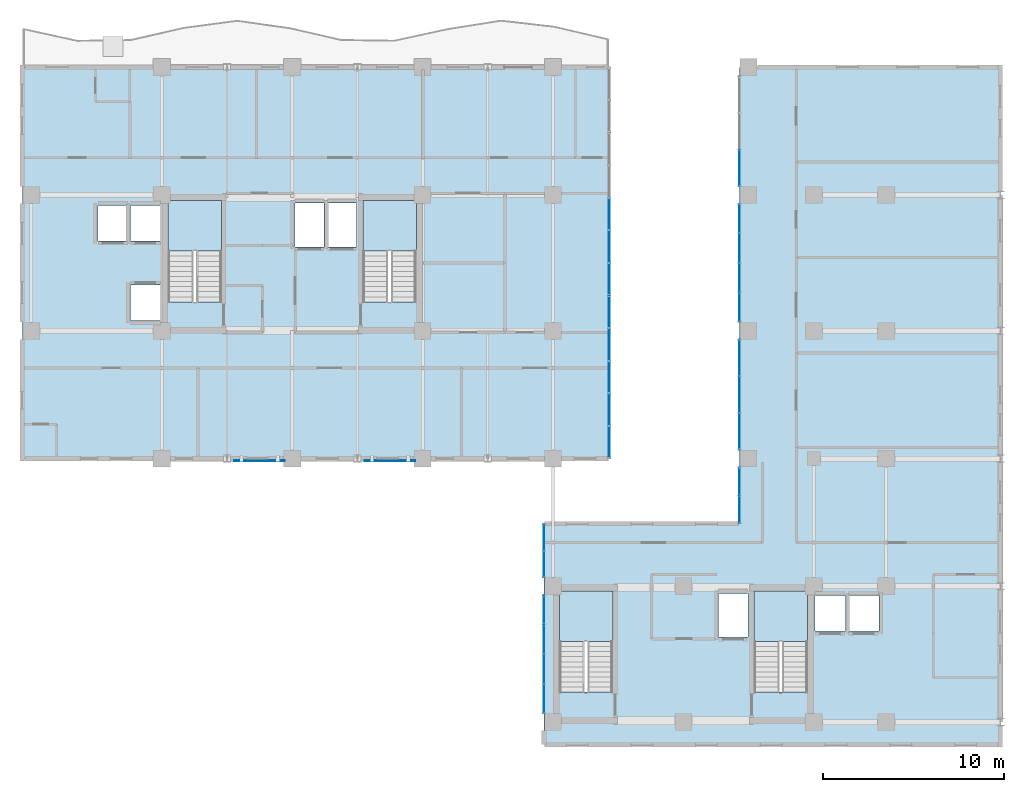
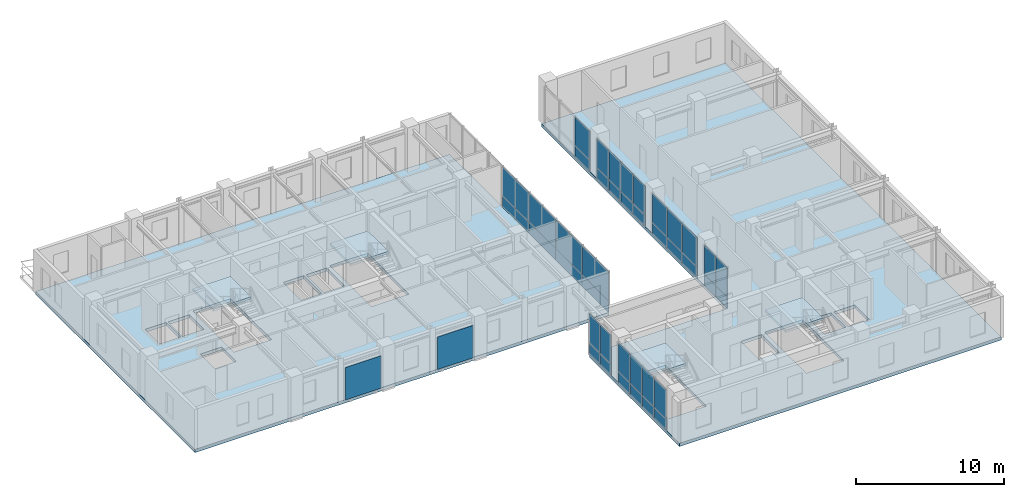
# One storey, part 15 of 24: 42 plates, 6 slabs, 11 elements without a shape of their own.
"""IFC4 building model written with IfcOpenShell, lengths in metres."""

from ifc_helpers import new_model, si_unit, direction, frame, origin, origin_2d, place, context, subcontext, project, spatial, polyline, rectangle, outline, extrude, source, transform, mapped, material, layer, layer_set, type_object, element, aggregate, save


model = new_model("IFC4")

# Units and contexts
model_context = context("Model", 3, precision=1e-05, world=origin(), true_north=direction((0.0, 1.0)))
body_context = subcontext(model_context, "Body", "Model", "MODEL_VIEW")
ifc_project = project(units=[si_unit("LENGTHUNIT", "METRE"), si_unit("AREAUNIT", "SQUARE_METRE"), si_unit("VOLUMEUNIT", "CUBIC_METRE"), si_unit("PLANEANGLEUNIT", "RADIAN"), si_unit("MASSUNIT", "GRAM", prefix="KILO")], contexts=[model_context])

# Site, building, storey
site_placement = place(None, origin())
site = spatial("IfcSite", under=ifc_project, at=site_placement, CompositionType="ELEMENT")
building_placement = place(site_placement, origin())
building = spatial("IfcBuilding", under=site, at=building_placement, Name="Kaliganga Portal Commons", CompositionType="ELEMENT")
storey_placement = place(building_placement, frame((0.0, 0.0, 235.10009765625)))
storey = spatial("IfcBuildingStorey", under=building, at=storey_placement, Name="L60", CompositionType="ELEMENT", Elevation=235.10009765625)

# Slabs
ifc_material_1 = material(Name="Concrete C50/60", Category="concrete")
ifc_layer_1 = layer(ifc_material_1, 0.260009765625)
ifc_layer_set_1 = layer_set([ifc_layer_1], Name="Concrete C50/60")
slab_type_1 = type_object("IfcSlabType", Name="SLB-PORTAL-260", PredefinedType="FLOOR", material=ifc_layer_set_1)
slab_1_placement = place(storey_placement, frame((0.0, 0.0, -0.260009765625)))
element("IfcSlab", 1, at=slab_1_placement, inside=storey, type_object=slab_type_1, Name="Structural Floor Slab L60:W1", PredefinedType="FLOOR", context=body_context, shape_type="SweptSolid", body=[
    extrude(outline(polyline([(6.699951171875, 21.60009765625), (39.10009765625, 21.60009765625), (39.10009765625, 43.199951171875), (6.699951171875, 43.199951171875), (6.699951171875, 21.60009765625)]), holes=[polyline([(14.75, 30.25390625), (14.75, 35.85009765625), (17.699951171875, 35.85009765625), (17.699951171875, 30.25390625), (14.75, 30.25390625)]), polyline([(25.5, 30.25390625), (25.5, 35.85009765625), (28.449951171875, 35.85009765625), (28.449951171875, 30.25390625), (25.5, 30.25390625)]), polyline([(12.6650390625, 33.614990234375), (12.6650390625, 35.5849609375), (14.3349609375, 35.5849609375), (14.3349609375, 33.614990234375), (12.6650390625, 33.614990234375)]), polyline([(12.6650390625, 29.215087890625), (12.6650390625, 31.18505859375), (14.3349609375, 31.18505859375), (14.3349609375, 29.215087890625), (12.6650390625, 29.215087890625)]), polyline([(10.864990234375, 33.614990234375), (10.864990234375, 35.5849609375), (12.534912109375, 35.5849609375), (12.534912109375, 33.614990234375), (10.864990234375, 33.614990234375)]), polyline([(21.739990234375, 33.2900390625), (21.739990234375, 35.7099609375), (23.360107421875, 35.7099609375), (23.360107421875, 33.2900390625), (21.739990234375, 33.2900390625)]), polyline([(23.5400390625, 33.2900390625), (23.5400390625, 35.7099609375), (25.159912109375, 35.7099609375), (25.159912109375, 33.2900390625), (23.5400390625, 33.2900390625)])]), origin(), (0.0, 0.0, 1.0), 0.260009765625),
])
slab_2_placement = place(storey_placement, frame((0.0, 0.0, -0.260009765625)))
element("IfcSlab", 2, at=slab_2_placement, inside=storey, type_object=slab_type_1, Name="Structural Floor Slab L60:W2", PredefinedType="FLOOR", context=body_context, shape_type="SweptSolid", body=[
    extrude(outline(polyline([(35.5, 5.800048828125), (60.699951171875, 5.800048828125), (60.699951171875, 43.199951171875), (46.300048828125, 43.199951171875), (46.300048828125, 18.0), (35.5, 18.0), (35.5, 5.800048828125)]), holes=[polyline([(36.35009765625, 8.7041015625), (36.35009765625, 14.300048828125), (39.300048828125, 14.300048828125), (39.300048828125, 8.7041015625), (36.35009765625, 8.7041015625)]), polyline([(47.10009765625, 8.7041015625), (47.10009765625, 14.300048828125), (50.050048828125, 14.300048828125), (50.050048828125, 8.7041015625), (47.10009765625, 8.7041015625)]), polyline([(50.465087890625, 12.06494140625), (50.465087890625, 14.034912109375), (52.135009765625, 14.034912109375), (52.135009765625, 12.06494140625), (50.465087890625, 12.06494140625)]), polyline([(52.31494140625, 12.06494140625), (52.31494140625, 14.034912109375), (53.985107421875, 14.034912109375), (53.985107421875, 12.06494140625), (52.31494140625, 12.06494140625)]), polyline([(45.139892578125, 11.739990234375), (45.139892578125, 14.159912109375), (46.760009765625, 14.159912109375), (46.760009765625, 11.739990234375), (45.139892578125, 11.739990234375)])]), origin(), (0.0, 0.0, 1.0), 0.260009765625),
])

# Stair, slab
ifc_material_2 = material(Name="Concrete C40/50", Category="concrete")
stair_type = type_object("IfcStairType", Name="ST-CORE-DOGLEG", PredefinedType="HALF_TURN_STAIR", material=ifc_material_2)
stair_1_placement = place(storey_placement, origin())
stair_1 = element("IfcStair", 3, at=stair_1_placement, inside=storey, type_object=stair_type, Name="L60 Protected Exit Stair ST-A1", PredefinedType="HALF_TURN_STAIR")
ifc_layer_2 = layer(ifc_material_2, 0.199951171875)
ifc_layer_set_2 = layer_set([ifc_layer_2], Name="Concrete C40/50")
slab_type_2 = type_object("IfcSlabType", Name="SLB-STAIR-LND", PredefinedType="LANDING", material=ifc_layer_set_2)
slab_3_placement = place(storey_placement, frame((0.0, 0.0, 1.64990234375)))
slab_3 = element("IfcSlab", 4, at=slab_3_placement, type_object=slab_type_2, Name="ST-A1 landing 1", PredefinedType="LANDING", context=body_context, shape_type="SweptSolid", body=[
    extrude(outline(polyline([(17.699951171875, 33.050048828125), (17.699951171875, 35.85009765625), (14.75, 35.85009765625), (14.75, 33.050048828125), (17.699951171875, 33.050048828125)])), origin(), (0.0, 0.0, 1.0), 0.199951171875),
])
aggregate(stair_1, [slab_3])

stair_2_placement = place(storey_placement, origin())
stair_2 = element("IfcStair", 5, at=stair_2_placement, inside=storey, type_object=stair_type, Name="L60 Protected Exit Stair ST-A2", PredefinedType="HALF_TURN_STAIR")
slab_4_placement = place(storey_placement, frame((0.0, 0.0, 1.64990234375)))
slab_4 = element("IfcSlab", 6, at=slab_4_placement, type_object=slab_type_2, Name="ST-A2 landing 1", PredefinedType="LANDING", context=body_context, shape_type="SweptSolid", body=[
    extrude(outline(polyline([(28.449951171875, 33.050048828125), (28.449951171875, 35.85009765625), (25.5, 35.85009765625), (25.5, 33.050048828125), (28.449951171875, 33.050048828125)])), origin(), (0.0, 0.0, 1.0), 0.199951171875),
])
aggregate(stair_2, [slab_4])

stair_3_placement = place(storey_placement, origin())
stair_3 = element("IfcStair", 7, at=stair_3_placement, inside=storey, type_object=stair_type, Name="L60 Protected Exit Stair ST-B1", PredefinedType="HALF_TURN_STAIR")
slab_5_placement = place(storey_placement, frame((0.0, 0.0, 1.64990234375)))
slab_5 = element("IfcSlab", 8, at=slab_5_placement, type_object=slab_type_2, Name="ST-B1 landing 1", PredefinedType="LANDING", context=body_context, shape_type="SweptSolid", body=[
    extrude(outline(polyline([(39.300048828125, 11.5), (39.300048828125, 14.300048828125), (36.35009765625, 14.300048828125), (36.35009765625, 11.5), (39.300048828125, 11.5)])), origin(), (0.0, 0.0, 1.0), 0.199951171875),
])
aggregate(stair_3, [slab_5])

stair_4_placement = place(storey_placement, origin())
stair_4 = element("IfcStair", 9, at=stair_4_placement, inside=storey, type_object=stair_type, Name="L60 Protected Exit Stair ST-B2", PredefinedType="HALF_TURN_STAIR")
slab_6_placement = place(storey_placement, frame((0.0, 0.0, 1.64990234375)))
slab_6 = element("IfcSlab", 10, at=slab_6_placement, type_object=slab_type_2, Name="ST-B2 landing 1", PredefinedType="LANDING", context=body_context, shape_type="SweptSolid", body=[
    extrude(outline(polyline([(50.050048828125, 11.5), (50.050048828125, 14.300048828125), (47.10009765625, 14.300048828125), (47.10009765625, 11.5), (50.050048828125, 11.5)])), origin(), (0.0, 0.0, 1.0), 0.199951171875),
])
aggregate(stair_4, [slab_6])

# Plates
ifc_material_3 = material(Name="Perforated Terracotta Monsoon Baguette Screen", Category="masonry")
ifc_layer_3 = layer(ifc_material_3, 0.034912109375)
ifc_layer_set_3 = layer_set([ifc_layer_3], Name="Perforated Terracotta Monsoon Baguette Screen")
plate_type_1 = type_object("IfcPlateType", Name="PLT-CER-35", PredefinedType="USERDEFINED", material=ifc_layer_set_3)
shared_shape_1 = source(origin(), body_context, "Body", "SweptSolid", [
    extrude(rectangle(XDim=2.800048828125, YDim=0.034912109375, at=origin_2d()), origin(), (0.0, 0.0, 1.0), 2.68994140625),
])
for number, where, z_axis, x_axis, name in (
    (11, (19.800048828125, 21.47998046875, 0.079833984375), (0.0, 0.0, 1.0), (1.0, 0.0, 0.0), "Perforated Solar Screen L60-S1"),
    (12, (27.0, 21.47998046875, 0.079833984375), (0.0, 0.0, 1.0), (1.0, 0.0, 0.0), "Perforated Solar Screen L60-S2"),
):
    element("IfcPlate", number, at=place(storey_placement, frame(where, z_axis=z_axis, x_axis=x_axis)), inside=storey, type_object=plate_type_1, Name=name, ObjectType="SOLAR SCREEN", PredefinedType="USERDEFINED", context=body_context, shape_type="MappedRepresentation", body=[
        mapped(shared_shape_1, transform((0.0, 0.0, 0.0), x_axis=(1.0, 0.0, 0.0), y_axis=(0.0, 1.0, 0.0), z_axis=(0.0, 0.0, 1.0), scale=1.0)),
    ])

# Curtain wall, plates
ifc_material_4 = material(Name="Anodized Aluminium and Laminated Low-E Glass", Category="aluminium")
ifc_layer_4 = layer(ifc_material_4, 0.239990234375)
ifc_layer_set_4 = layer_set([ifc_layer_4], Name="Anodized Aluminium and Laminated Low-E Glass")
curtain_wall_type = type_object("IfcCurtainWallType", Name="CW-SYS-04", PredefinedType="NOTDEFINED", material=ifc_layer_set_4)
curtain_wall_1_placement = place(storey_placement, origin())
curtain_wall_1 = element("IfcCurtainWall", 13, at=curtain_wall_1_placement, inside=storey, type_object=curtain_wall_type, Name="CW 04 L60 P2E03S2", PredefinedType="NOTDEFINED")
ifc_material_5 = material(Name="Insulated Dark Spandrel Panel", Category="metal")
ifc_layer_5 = layer(ifc_material_5, 0.044921875)
ifc_layer_set_5 = layer_set([ifc_layer_5], Name="Insulated Dark Spandrel Panel")
plate_type_2 = type_object("IfcPlateType", Name="PLT-SPN-45", PredefinedType="SHEET", material=ifc_layer_set_5)
shared_shape_2 = source(origin(), body_context, "Body", "SweptSolid", [
    extrude(rectangle(XDim=1.596923828125, YDim=0.044921875, at=origin_2d()), origin(), (0.0, 0.0, 1.0), 0.929931640625),
])
plate_1_placement = place(storey_placement, frame((46.300048828125, 34.85546875, 0.009765625), z_axis=(0.0, 0.0, 1.0), x_axis=(0.0, -1.0, 0.0)))
plate_1 = element("IfcPlate", 14, at=plate_1_placement, type_object=plate_type_2, Name="CW:04:L60:P2E03S2 Spandrel 00", PredefinedType="SHEET", context=body_context, shape_type="MappedRepresentation", body=[
    mapped(shared_shape_2, transform((0.0, 0.0, 0.0), x_axis=(1.0, 0.0, 0.0), y_axis=(0.0, 1.0, 0.0), z_axis=(0.0, 0.0, 1.0), scale=1.0)),
])
plate_2_placement = place(storey_placement, frame((46.300048828125, 33.218505859375, 0.009765625), z_axis=(0.0, 0.0, 1.0), x_axis=(0.0, -1.0, 0.0)))
plate_2 = element("IfcPlate", 15, at=plate_2_placement, type_object=plate_type_2, Name="CW:04:L60:P2E03S2 Spandrel 01", PredefinedType="SHEET", context=body_context, shape_type="MappedRepresentation", body=[
    mapped(shared_shape_2, transform((0.0, 0.0, 0.0), x_axis=(1.0, 0.0, 0.0), y_axis=(0.0, 1.0, 0.0), z_axis=(0.0, 0.0, 1.0), scale=1.0)),
])
plate_3_placement = place(storey_placement, frame((46.300048828125, 31.58154296875, 0.009765625), z_axis=(0.0, 0.0, 1.0), x_axis=(0.0, -1.0, 0.0)))
plate_3 = element("IfcPlate", 16, at=plate_3_placement, type_object=plate_type_2, Name="CW:04:L60:P2E03S2 Spandrel 02", PredefinedType="SHEET", context=body_context, shape_type="MappedRepresentation", body=[
    mapped(shared_shape_2, transform((0.0, 0.0, 0.0), x_axis=(1.0, 0.0, 0.0), y_axis=(0.0, 1.0, 0.0), z_axis=(0.0, 0.0, 1.0), scale=1.0)),
])
plate_4_placement = place(storey_placement, frame((46.300048828125, 29.944580078125, 0.009765625), z_axis=(0.0, 0.0, 1.0), x_axis=(0.0, -1.0, 0.0)))
plate_4 = element("IfcPlate", 17, at=plate_4_placement, type_object=plate_type_2, Name="CW:04:L60:P2E03S2 Spandrel 03", PredefinedType="SHEET", context=body_context, shape_type="MappedRepresentation", body=[
    mapped(shared_shape_2, transform((0.0, 0.0, 0.0), x_axis=(1.0, 0.0, 0.0), y_axis=(0.0, 1.0, 0.0), z_axis=(0.0, 0.0, 1.0), scale=1.0)),
])

curtain_wall_2_placement = place(storey_placement, origin())
curtain_wall_2 = element("IfcCurtainWall", 18, at=curtain_wall_2_placement, inside=storey, type_object=curtain_wall_type, Name="CW 04 L60 P2E05S2", PredefinedType="NOTDEFINED")
plate_5_placement = place(storey_placement, frame((35.5, 13.255615234375, 0.009765625), z_axis=(0.0, 0.0, 1.0), x_axis=(0.0, -1.0, 0.0)))
plate_5 = element("IfcPlate", 19, at=plate_5_placement, type_object=plate_type_2, Name="CW:04:L60:P2E05S2 Spandrel 00", PredefinedType="SHEET", context=body_context, shape_type="MappedRepresentation", body=[
    mapped(shared_shape_2, transform((0.0, 0.0, 0.0), x_axis=(1.0, 0.0, 0.0), y_axis=(0.0, 1.0, 0.0), z_axis=(0.0, 0.0, 1.0), scale=1.0)),
])
plate_6_placement = place(storey_placement, frame((35.5, 11.618408203125, 0.009765625), z_axis=(0.0, 0.0, 1.0), x_axis=(0.0, -1.0, 0.0)))
plate_6 = element("IfcPlate", 20, at=plate_6_placement, type_object=plate_type_2, Name="CW:04:L60:P2E05S2 Spandrel 01", PredefinedType="SHEET", context=body_context, shape_type="MappedRepresentation", body=[
    mapped(shared_shape_2, transform((0.0, 0.0, 0.0), x_axis=(1.0, 0.0, 0.0), y_axis=(0.0, 1.0, 0.0), z_axis=(0.0, 0.0, 1.0), scale=1.0)),
])
plate_7_placement = place(storey_placement, frame((35.5, 9.9814453125, 0.009765625), z_axis=(0.0, 0.0, 1.0), x_axis=(0.0, -1.0, 0.0)))
plate_7 = element("IfcPlate", 21, at=plate_7_placement, type_object=plate_type_2, Name="CW:04:L60:P2E05S2 Spandrel 02", PredefinedType="SHEET", context=body_context, shape_type="MappedRepresentation", body=[
    mapped(shared_shape_2, transform((0.0, 0.0, 0.0), x_axis=(1.0, 0.0, 0.0), y_axis=(0.0, 1.0, 0.0), z_axis=(0.0, 0.0, 1.0), scale=1.0)),
])
plate_8_placement = place(storey_placement, frame((35.5, 8.344482421875, 0.009765625), z_axis=(0.0, 0.0, 1.0), x_axis=(0.0, -1.0, 0.0)))
plate_8 = element("IfcPlate", 22, at=plate_8_placement, type_object=plate_type_2, Name="CW:04:L60:P2E05S2 Spandrel 03", PredefinedType="SHEET", context=body_context, shape_type="MappedRepresentation", body=[
    mapped(shared_shape_2, transform((0.0, 0.0, 0.0), x_axis=(1.0, 0.0, 0.0), y_axis=(0.0, 1.0, 0.0), z_axis=(0.0, 0.0, 1.0), scale=1.0)),
])

curtain_wall_3_placement = place(storey_placement, origin())
curtain_wall_3 = element("IfcCurtainWall", 23, at=curtain_wall_3_placement, inside=storey, type_object=curtain_wall_type, Name="CW 04 L60 P2E05S1", PredefinedType="NOTDEFINED")
shared_shape_3 = source(origin(), body_context, "Body", "SweptSolid", [
    extrude(rectangle(XDim=1.447021484375, YDim=0.044921875, at=origin_2d()), origin(), (0.0, 0.0, 1.0), 0.929931640625),
])
plate_9_placement = place(storey_placement, frame((35.5, 17.256591796875, 0.009765625), z_axis=(0.0, 0.0, 1.0), x_axis=(0.0, -1.0, 0.0)))
plate_9 = element("IfcPlate", 24, at=plate_9_placement, type_object=plate_type_2, Name="CW:04:L60:P2E05S1 Spandrel 00", PredefinedType="SHEET", context=body_context, shape_type="MappedRepresentation", body=[
    mapped(shared_shape_3, transform((0.0, 0.0, 0.0), x_axis=(1.0, 0.0, 0.0), y_axis=(0.0, 1.0, 0.0), z_axis=(0.0, 0.0, 1.0), scale=1.0)),
])
plate_10_placement = place(storey_placement, frame((35.5, 15.76953125, 0.009765625), z_axis=(0.0, 0.0, 1.0), x_axis=(0.0, -1.0, 0.0)))
plate_10 = element("IfcPlate", 25, at=plate_10_placement, type_object=plate_type_2, Name="CW:04:L60:P2E05S1 Spandrel 01", PredefinedType="SHEET", context=body_context, shape_type="MappedRepresentation", body=[
    mapped(shared_shape_3, transform((0.0, 0.0, 0.0), x_axis=(1.0, 0.0, 0.0), y_axis=(0.0, 1.0, 0.0), z_axis=(0.0, 0.0, 1.0), scale=1.0)),
])
ifc_material_6 = material(Name="Dark Solar-Control Laminated Low-E IGU", Category="glass")
ifc_layer_6 = layer(ifc_material_6, 0.028076171875)
ifc_layer_set_6 = layer_set([ifc_layer_6], Name="Dark Solar-Control Laminated Low-E IGU")
plate_type_3 = type_object("IfcPlateType", Name="PLT-GLZ-28", PredefinedType="CURTAIN_PANEL", material=ifc_layer_set_6)
shared_shape_4 = source(origin(), body_context, "Body", "SweptSolid", [
    extrude(rectangle(XDim=1.447021484375, YDim=0.028076171875, at=origin_2d()), origin(), (0.0, 0.0, 1.0), 2.389892578125),
])
plate_11_placement = place(storey_placement, frame((35.5, 17.256591796875, 0.9599609375), z_axis=(0.0, 0.0, 1.0), x_axis=(0.0, -1.0, 0.0)))
plate_11 = element("IfcPlate", 26, at=plate_11_placement, type_object=plate_type_3, Name="CW:04:L60:P2E05S1 Vision IGU 00", PredefinedType="CURTAIN_PANEL", context=body_context, shape_type="MappedRepresentation", body=[
    mapped(shared_shape_4, transform((0.0, 0.0, 0.0), x_axis=(1.0, 0.0, 0.0), y_axis=(0.0, 1.0, 0.0), z_axis=(0.0, 0.0, 1.0), scale=1.0)),
])
plate_12_placement = place(storey_placement, frame((35.5, 15.76953125, 0.9599609375), z_axis=(0.0, 0.0, 1.0), x_axis=(0.0, -1.0, 0.0)))
plate_12 = element("IfcPlate", 27, at=plate_12_placement, type_object=plate_type_3, Name="CW:04:L60:P2E05S1 Vision IGU 01", PredefinedType="CURTAIN_PANEL", context=body_context, shape_type="MappedRepresentation", body=[
    mapped(shared_shape_4, transform((0.0, 0.0, 0.0), x_axis=(1.0, 0.0, 0.0), y_axis=(0.0, 1.0, 0.0), z_axis=(0.0, 0.0, 1.0), scale=1.0)),
])
aggregate(curtain_wall_3, [plate_9, plate_11, plate_10, plate_12])

# Plate
shared_shape_5 = source(origin(), body_context, "Body", "SweptSolid", [
    extrude(rectangle(XDim=1.596923828125, YDim=0.028076171875, at=origin_2d()), origin(), (0.0, 0.0, 1.0), 2.389892578125),
])
plate_13_placement = place(storey_placement, frame((46.300048828125, 34.85546875, 0.9599609375), z_axis=(0.0, 0.0, 1.0), x_axis=(0.0, -1.0, 0.0)))
plate_13 = element("IfcPlate", 28, at=plate_13_placement, type_object=plate_type_3, Name="CW:04:L60:P2E03S2 Vision IGU 00", PredefinedType="CURTAIN_PANEL", context=body_context, shape_type="MappedRepresentation", body=[
    mapped(shared_shape_5, transform((0.0, 0.0, 0.0), x_axis=(1.0, 0.0, 0.0), y_axis=(0.0, 1.0, 0.0), z_axis=(0.0, 0.0, 1.0), scale=1.0)),
])

plate_14_placement = place(storey_placement, frame((46.300048828125, 33.218505859375, 0.9599609375), z_axis=(0.0, 0.0, 1.0), x_axis=(0.0, -1.0, 0.0)))
plate_14 = element("IfcPlate", 29, at=plate_14_placement, type_object=plate_type_3, Name="CW:04:L60:P2E03S2 Vision IGU 01", PredefinedType="CURTAIN_PANEL", context=body_context, shape_type="MappedRepresentation", body=[
    mapped(shared_shape_5, transform((0.0, 0.0, 0.0), x_axis=(1.0, 0.0, 0.0), y_axis=(0.0, 1.0, 0.0), z_axis=(0.0, 0.0, 1.0), scale=1.0)),
])

plate_15_placement = place(storey_placement, frame((46.300048828125, 31.58154296875, 0.9599609375), z_axis=(0.0, 0.0, 1.0), x_axis=(0.0, -1.0, 0.0)))
plate_15 = element("IfcPlate", 30, at=plate_15_placement, type_object=plate_type_3, Name="CW:04:L60:P2E03S2 Vision IGU 02", PredefinedType="CURTAIN_PANEL", context=body_context, shape_type="MappedRepresentation", body=[
    mapped(shared_shape_5, transform((0.0, 0.0, 0.0), x_axis=(1.0, 0.0, 0.0), y_axis=(0.0, 1.0, 0.0), z_axis=(0.0, 0.0, 1.0), scale=1.0)),
])

plate_16_placement = place(storey_placement, frame((46.300048828125, 29.944580078125, 0.9599609375), z_axis=(0.0, 0.0, 1.0), x_axis=(0.0, -1.0, 0.0)))
plate_16 = element("IfcPlate", 31, at=plate_16_placement, type_object=plate_type_3, Name="CW:04:L60:P2E03S2 Vision IGU 03", PredefinedType="CURTAIN_PANEL", context=body_context, shape_type="MappedRepresentation", body=[
    mapped(shared_shape_5, transform((0.0, 0.0, 0.0), x_axis=(1.0, 0.0, 0.0), y_axis=(0.0, 1.0, 0.0), z_axis=(0.0, 0.0, 1.0), scale=1.0)),
])

aggregate(curtain_wall_1, [plate_1, plate_13, plate_2, plate_14, plate_3, plate_15, plate_4, plate_16])

plate_17_placement = place(storey_placement, frame((35.5, 13.255615234375, 0.9599609375), z_axis=(0.0, 0.0, 1.0), x_axis=(0.0, -1.0, 0.0)))
plate_17 = element("IfcPlate", 32, at=plate_17_placement, type_object=plate_type_3, Name="CW:04:L60:P2E05S2 Vision IGU 00", PredefinedType="CURTAIN_PANEL", context=body_context, shape_type="MappedRepresentation", body=[
    mapped(shared_shape_5, transform((0.0, 0.0, 0.0), x_axis=(1.0, 0.0, 0.0), y_axis=(0.0, 1.0, 0.0), z_axis=(0.0, 0.0, 1.0), scale=1.0)),
])

plate_18_placement = place(storey_placement, frame((35.5, 11.618408203125, 0.9599609375), z_axis=(0.0, 0.0, 1.0), x_axis=(0.0, -1.0, 0.0)))
plate_18 = element("IfcPlate", 33, at=plate_18_placement, type_object=plate_type_3, Name="CW:04:L60:P2E05S2 Vision IGU 01", PredefinedType="CURTAIN_PANEL", context=body_context, shape_type="MappedRepresentation", body=[
    mapped(shared_shape_5, transform((0.0, 0.0, 0.0), x_axis=(1.0, 0.0, 0.0), y_axis=(0.0, 1.0, 0.0), z_axis=(0.0, 0.0, 1.0), scale=1.0)),
])

plate_19_placement = place(storey_placement, frame((35.5, 9.9814453125, 0.9599609375), z_axis=(0.0, 0.0, 1.0), x_axis=(0.0, -1.0, 0.0)))
plate_19 = element("IfcPlate", 34, at=plate_19_placement, type_object=plate_type_3, Name="CW:04:L60:P2E05S2 Vision IGU 02", PredefinedType="CURTAIN_PANEL", context=body_context, shape_type="MappedRepresentation", body=[
    mapped(shared_shape_5, transform((0.0, 0.0, 0.0), x_axis=(1.0, 0.0, 0.0), y_axis=(0.0, 1.0, 0.0), z_axis=(0.0, 0.0, 1.0), scale=1.0)),
])

plate_20_placement = place(storey_placement, frame((35.5, 8.344482421875, 0.9599609375), z_axis=(0.0, 0.0, 1.0), x_axis=(0.0, -1.0, 0.0)))
plate_20 = element("IfcPlate", 35, at=plate_20_placement, type_object=plate_type_3, Name="CW:04:L60:P2E05S2 Vision IGU 03", PredefinedType="CURTAIN_PANEL", context=body_context, shape_type="MappedRepresentation", body=[
    mapped(shared_shape_5, transform((0.0, 0.0, 0.0), x_axis=(1.0, 0.0, 0.0), y_axis=(0.0, 1.0, 0.0), z_axis=(0.0, 0.0, 1.0), scale=1.0)),
])

aggregate(curtain_wall_2, [plate_5, plate_17, plate_6, plate_18, plate_7, plate_19, plate_8, plate_20])

# Curtain wall, plates
curtain_wall_4_placement = place(storey_placement, origin())
curtain_wall_4 = element("IfcCurtainWall", 36, at=curtain_wall_4_placement, inside=storey, type_object=curtain_wall_type, Name="CW 04 L60 P1E01S1", PredefinedType="NOTDEFINED")
shared_shape_6 = source(origin(), body_context, "Body", "SweptSolid", [
    extrude(rectangle(XDim=3.56005859375, YDim=0.044921875, at=origin_2d()), origin(), (0.0, 0.0, 1.0), 0.929931640625),
])
plate_21_placement = place(storey_placement, frame((39.10009765625, 23.39990234375, 0.009765625), z_axis=(0.0, 0.0, 1.0), x_axis=(0.0, 1.0, 0.0)))
plate_21 = element("IfcPlate", 37, at=plate_21_placement, type_object=plate_type_2, Name="CW:04:L60:P1E01S1 Spandrel 00", PredefinedType="SHEET", context=body_context, shape_type="MappedRepresentation", body=[
    mapped(shared_shape_6, transform((0.0, 0.0, 0.0), x_axis=(1.0, 0.0, 0.0), y_axis=(0.0, 1.0, 0.0), z_axis=(0.0, 0.0, 1.0), scale=1.0)),
])
plate_22_placement = place(storey_placement, frame((39.10009765625, 27.0, 0.009765625), z_axis=(0.0, 0.0, 1.0), x_axis=(0.0, 1.0, 0.0)))
plate_22 = element("IfcPlate", 38, at=plate_22_placement, type_object=plate_type_2, Name="CW:04:L60:P1E01S1 Spandrel 02", PredefinedType="SHEET", context=body_context, shape_type="MappedRepresentation", body=[
    mapped(shared_shape_6, transform((0.0, 0.0, 0.0), x_axis=(1.0, 0.0, 0.0), y_axis=(0.0, 1.0, 0.0), z_axis=(0.0, 0.0, 1.0), scale=1.0)),
])
plate_23_placement = place(storey_placement, frame((39.10009765625, 30.60009765625, 0.009765625), z_axis=(0.0, 0.0, 1.0), x_axis=(0.0, 1.0, 0.0)))
plate_23 = element("IfcPlate", 39, at=plate_23_placement, type_object=plate_type_2, Name="CW:04:L60:P1E01S1 Spandrel 04", PredefinedType="SHEET", context=body_context, shape_type="MappedRepresentation", body=[
    mapped(shared_shape_6, transform((0.0, 0.0, 0.0), x_axis=(1.0, 0.0, 0.0), y_axis=(0.0, 1.0, 0.0), z_axis=(0.0, 0.0, 1.0), scale=1.0)),
])
plate_24_placement = place(storey_placement, frame((39.10009765625, 34.199951171875, 0.009765625), z_axis=(0.0, 0.0, 1.0), x_axis=(0.0, 1.0, 0.0)))
plate_24 = element("IfcPlate", 40, at=plate_24_placement, type_object=plate_type_2, Name="CW:04:L60:P1E01S1 Spandrel 06", PredefinedType="SHEET", context=body_context, shape_type="MappedRepresentation", body=[
    mapped(shared_shape_6, transform((0.0, 0.0, 0.0), x_axis=(1.0, 0.0, 0.0), y_axis=(0.0, 1.0, 0.0), z_axis=(0.0, 0.0, 1.0), scale=1.0)),
])
shared_shape_7 = source(origin(), body_context, "Body", "SweptSolid", [
    extrude(rectangle(XDim=3.56005859375, YDim=0.028076171875, at=origin_2d()), origin(), (0.0, 0.0, 1.0), 2.389892578125),
])
plate_25_placement = place(storey_placement, frame((39.10009765625, 23.39990234375, 0.9599609375), z_axis=(0.0, 0.0, 1.0), x_axis=(0.0, 1.0, 0.0)))
plate_25 = element("IfcPlate", 41, at=plate_25_placement, type_object=plate_type_3, Name="CW:04:L60:P1E01S1 Vision IGU 00", PredefinedType="CURTAIN_PANEL", context=body_context, shape_type="MappedRepresentation", body=[
    mapped(shared_shape_7, transform((0.0, 0.0, 0.0), x_axis=(1.0, 0.0, 0.0), y_axis=(0.0, 1.0, 0.0), z_axis=(0.0, 0.0, 1.0), scale=1.0)),
])
plate_26_placement = place(storey_placement, frame((39.10009765625, 27.0, 0.9599609375), z_axis=(0.0, 0.0, 1.0), x_axis=(0.0, 1.0, 0.0)))
plate_26 = element("IfcPlate", 42, at=plate_26_placement, type_object=plate_type_3, Name="CW:04:L60:P1E01S1 Vision IGU 02", PredefinedType="CURTAIN_PANEL", context=body_context, shape_type="MappedRepresentation", body=[
    mapped(shared_shape_7, transform((0.0, 0.0, 0.0), x_axis=(1.0, 0.0, 0.0), y_axis=(0.0, 1.0, 0.0), z_axis=(0.0, 0.0, 1.0), scale=1.0)),
])
plate_27_placement = place(storey_placement, frame((39.10009765625, 30.60009765625, 0.9599609375), z_axis=(0.0, 0.0, 1.0), x_axis=(0.0, 1.0, 0.0)))
plate_27 = element("IfcPlate", 43, at=plate_27_placement, type_object=plate_type_3, Name="CW:04:L60:P1E01S1 Vision IGU 04", PredefinedType="CURTAIN_PANEL", context=body_context, shape_type="MappedRepresentation", body=[
    mapped(shared_shape_7, transform((0.0, 0.0, 0.0), x_axis=(1.0, 0.0, 0.0), y_axis=(0.0, 1.0, 0.0), z_axis=(0.0, 0.0, 1.0), scale=1.0)),
])
plate_28_placement = place(storey_placement, frame((39.10009765625, 34.199951171875, 0.9599609375), z_axis=(0.0, 0.0, 1.0), x_axis=(0.0, 1.0, 0.0)))
plate_28 = element("IfcPlate", 44, at=plate_28_placement, type_object=plate_type_3, Name="CW:04:L60:P1E01S1 Vision IGU 06", PredefinedType="CURTAIN_PANEL", context=body_context, shape_type="MappedRepresentation", body=[
    mapped(shared_shape_7, transform((0.0, 0.0, 0.0), x_axis=(1.0, 0.0, 0.0), y_axis=(0.0, 1.0, 0.0), z_axis=(0.0, 0.0, 1.0), scale=1.0)),
])
aggregate(curtain_wall_4, [plate_21, plate_25, plate_22, plate_26, plate_23, plate_27, plate_24, plate_28])

# Curtain wall, plate
curtain_wall_5_placement = place(storey_placement, origin())
curtain_wall_5 = element("IfcCurtainWall", 45, at=curtain_wall_5_placement, inside=storey, type_object=curtain_wall_type, Name="CW 04 L60 P2E03S1", PredefinedType="NOTDEFINED")
shared_shape_8 = source(origin(), body_context, "Body", "SweptSolid", [
    extrude(rectangle(XDim=1.99267578125, YDim=0.044921875, at=origin_2d()), origin(), (0.0, 0.0, 1.0), 0.929931640625),
])
plate_29_placement = place(storey_placement, frame((46.300048828125, 37.642333984375, 0.009765625), z_axis=(0.0, 0.0, 1.0), x_axis=(0.0, -1.0, 0.0)))
plate_29 = element("IfcPlate", 46, at=plate_29_placement, type_object=plate_type_2, Name="CW:04:L60:P2E03S1 Spandrel 02", PredefinedType="SHEET", context=body_context, shape_type="MappedRepresentation", body=[
    mapped(shared_shape_8, transform((0.0, 0.0, 0.0), x_axis=(1.0, 0.0, 0.0), y_axis=(0.0, 1.0, 0.0), z_axis=(0.0, 0.0, 1.0), scale=1.0)),
])

# Curtain wall, plates
curtain_wall_6_placement = place(storey_placement, origin())
curtain_wall_6 = element("IfcCurtainWall", 47, at=curtain_wall_6_placement, inside=storey, type_object=curtain_wall_type, Name="CW 04 L60 P2E03S3", PredefinedType="NOTDEFINED")
plate_30_placement = place(storey_placement, frame((46.300048828125, 27.15771484375, 0.009765625), z_axis=(0.0, 0.0, 1.0), x_axis=(0.0, -1.0, 0.0)))
plate_30 = element("IfcPlate", 48, at=plate_30_placement, type_object=plate_type_2, Name="CW:04:L60:P2E03S3 Spandrel 00", PredefinedType="SHEET", context=body_context, shape_type="MappedRepresentation", body=[
    mapped(shared_shape_8, transform((0.0, 0.0, 0.0), x_axis=(1.0, 0.0, 0.0), y_axis=(0.0, 1.0, 0.0), z_axis=(0.0, 0.0, 1.0), scale=1.0)),
])
plate_31_placement = place(storey_placement, frame((46.300048828125, 25.125, 0.009765625), z_axis=(0.0, 0.0, 1.0), x_axis=(0.0, -1.0, 0.0)))
plate_31 = element("IfcPlate", 49, at=plate_31_placement, type_object=plate_type_2, Name="CW:04:L60:P2E03S3 Spandrel 01", PredefinedType="SHEET", context=body_context, shape_type="MappedRepresentation", body=[
    mapped(shared_shape_8, transform((0.0, 0.0, 0.0), x_axis=(1.0, 0.0, 0.0), y_axis=(0.0, 1.0, 0.0), z_axis=(0.0, 0.0, 1.0), scale=1.0)),
])
plate_32_placement = place(storey_placement, frame((46.300048828125, 23.09228515625, 0.009765625), z_axis=(0.0, 0.0, 1.0), x_axis=(0.0, -1.0, 0.0)))
plate_32 = element("IfcPlate", 50, at=plate_32_placement, type_object=plate_type_2, Name="CW:04:L60:P2E03S3 Spandrel 02", PredefinedType="SHEET", context=body_context, shape_type="MappedRepresentation", body=[
    mapped(shared_shape_8, transform((0.0, 0.0, 0.0), x_axis=(1.0, 0.0, 0.0), y_axis=(0.0, 1.0, 0.0), z_axis=(0.0, 0.0, 1.0), scale=1.0)),
])

# Plate
shared_shape_9 = source(origin(), body_context, "Body", "SweptSolid", [
    extrude(rectangle(XDim=1.99267578125, YDim=0.028076171875, at=origin_2d()), origin(), (0.0, 0.0, 1.0), 2.389892578125),
])
plate_33_placement = place(storey_placement, frame((46.300048828125, 37.642333984375, 0.9599609375), z_axis=(0.0, 0.0, 1.0), x_axis=(0.0, -1.0, 0.0)))
plate_33 = element("IfcPlate", 51, at=plate_33_placement, type_object=plate_type_3, Name="CW:04:L60:P2E03S1 Vision IGU 02", PredefinedType="CURTAIN_PANEL", context=body_context, shape_type="MappedRepresentation", body=[
    mapped(shared_shape_9, transform((0.0, 0.0, 0.0), x_axis=(1.0, 0.0, 0.0), y_axis=(0.0, 1.0, 0.0), z_axis=(0.0, 0.0, 1.0), scale=1.0)),
])

aggregate(curtain_wall_5, [plate_29, plate_33])

plate_34_placement = place(storey_placement, frame((46.300048828125, 27.15771484375, 0.9599609375), z_axis=(0.0, 0.0, 1.0), x_axis=(0.0, -1.0, 0.0)))
plate_34 = element("IfcPlate", 52, at=plate_34_placement, type_object=plate_type_3, Name="CW:04:L60:P2E03S3 Vision IGU 00", PredefinedType="CURTAIN_PANEL", context=body_context, shape_type="MappedRepresentation", body=[
    mapped(shared_shape_9, transform((0.0, 0.0, 0.0), x_axis=(1.0, 0.0, 0.0), y_axis=(0.0, 1.0, 0.0), z_axis=(0.0, 0.0, 1.0), scale=1.0)),
])

plate_35_placement = place(storey_placement, frame((46.300048828125, 25.125, 0.9599609375), z_axis=(0.0, 0.0, 1.0), x_axis=(0.0, -1.0, 0.0)))
plate_35 = element("IfcPlate", 53, at=plate_35_placement, type_object=plate_type_3, Name="CW:04:L60:P2E03S3 Vision IGU 01", PredefinedType="CURTAIN_PANEL", context=body_context, shape_type="MappedRepresentation", body=[
    mapped(shared_shape_9, transform((0.0, 0.0, 0.0), x_axis=(1.0, 0.0, 0.0), y_axis=(0.0, 1.0, 0.0), z_axis=(0.0, 0.0, 1.0), scale=1.0)),
])

plate_36_placement = place(storey_placement, frame((46.300048828125, 23.09228515625, 0.9599609375), z_axis=(0.0, 0.0, 1.0), x_axis=(0.0, -1.0, 0.0)))
plate_36 = element("IfcPlate", 54, at=plate_36_placement, type_object=plate_type_3, Name="CW:04:L60:P2E03S3 Vision IGU 02", PredefinedType="CURTAIN_PANEL", context=body_context, shape_type="MappedRepresentation", body=[
    mapped(shared_shape_9, transform((0.0, 0.0, 0.0), x_axis=(1.0, 0.0, 0.0), y_axis=(0.0, 1.0, 0.0), z_axis=(0.0, 0.0, 1.0), scale=1.0)),
])

aggregate(curtain_wall_6, [plate_30, plate_34, plate_31, plate_35, plate_32, plate_36])

# Curtain wall, plates
curtain_wall_7_placement = place(storey_placement, origin())
curtain_wall_7 = element("IfcCurtainWall", 55, at=curtain_wall_7_placement, inside=storey, type_object=curtain_wall_type, Name="CW 04 L60 P2E03S4", PredefinedType="NOTDEFINED")
shared_shape_10 = source(origin(), body_context, "Body", "SweptSolid", [
    extrude(rectangle(XDim=1.52197265625, YDim=0.044921875, at=origin_2d()), origin(), (0.0, 0.0, 1.0), 0.929931640625),
])
plate_37_placement = place(storey_placement, frame((46.300048828125, 20.343017578125, 0.009765625), z_axis=(0.0, 0.0, 1.0), x_axis=(0.0, -1.0, 0.0)))
plate_37 = element("IfcPlate", 56, at=plate_37_placement, type_object=plate_type_2, Name="CW:04:L60:P2E03S4 Spandrel 00", PredefinedType="SHEET", context=body_context, shape_type="MappedRepresentation", body=[
    mapped(shared_shape_10, transform((0.0, 0.0, 0.0), x_axis=(1.0, 0.0, 0.0), y_axis=(0.0, 1.0, 0.0), z_axis=(0.0, 0.0, 1.0), scale=1.0)),
])
plate_38_placement = place(storey_placement, frame((46.300048828125, 18.781005859375, 0.009765625), z_axis=(0.0, 0.0, 1.0), x_axis=(0.0, -1.0, 0.0)))
plate_38 = element("IfcPlate", 57, at=plate_38_placement, type_object=plate_type_2, Name="CW:04:L60:P2E03S4 Spandrel 01", PredefinedType="SHEET", context=body_context, shape_type="MappedRepresentation", body=[
    mapped(shared_shape_10, transform((0.0, 0.0, 0.0), x_axis=(1.0, 0.0, 0.0), y_axis=(0.0, 1.0, 0.0), z_axis=(0.0, 0.0, 1.0), scale=1.0)),
])
shared_shape_11 = source(origin(), body_context, "Body", "SweptSolid", [
    extrude(rectangle(XDim=1.52197265625, YDim=0.028076171875, at=origin_2d()), origin(), (0.0, 0.0, 1.0), 2.389892578125),
])
plate_39_placement = place(storey_placement, frame((46.300048828125, 20.343017578125, 0.9599609375), z_axis=(0.0, 0.0, 1.0), x_axis=(0.0, -1.0, 0.0)))
plate_39 = element("IfcPlate", 58, at=plate_39_placement, type_object=plate_type_3, Name="CW:04:L60:P2E03S4 Vision IGU 00", PredefinedType="CURTAIN_PANEL", context=body_context, shape_type="MappedRepresentation", body=[
    mapped(shared_shape_11, transform((0.0, 0.0, 0.0), x_axis=(1.0, 0.0, 0.0), y_axis=(0.0, 1.0, 0.0), z_axis=(0.0, 0.0, 1.0), scale=1.0)),
])
plate_40_placement = place(storey_placement, frame((46.300048828125, 18.781005859375, 0.9599609375), z_axis=(0.0, 0.0, 1.0), x_axis=(0.0, -1.0, 0.0)))
plate_40 = element("IfcPlate", 59, at=plate_40_placement, type_object=plate_type_3, Name="CW:04:L60:P2E03S4 Vision IGU 01", PredefinedType="CURTAIN_PANEL", context=body_context, shape_type="MappedRepresentation", body=[
    mapped(shared_shape_11, transform((0.0, 0.0, 0.0), x_axis=(1.0, 0.0, 0.0), y_axis=(0.0, 1.0, 0.0), z_axis=(0.0, 0.0, 1.0), scale=1.0)),
])
aggregate(curtain_wall_7, [plate_37, plate_39, plate_38, plate_40])

save(model, "model.ifc")
